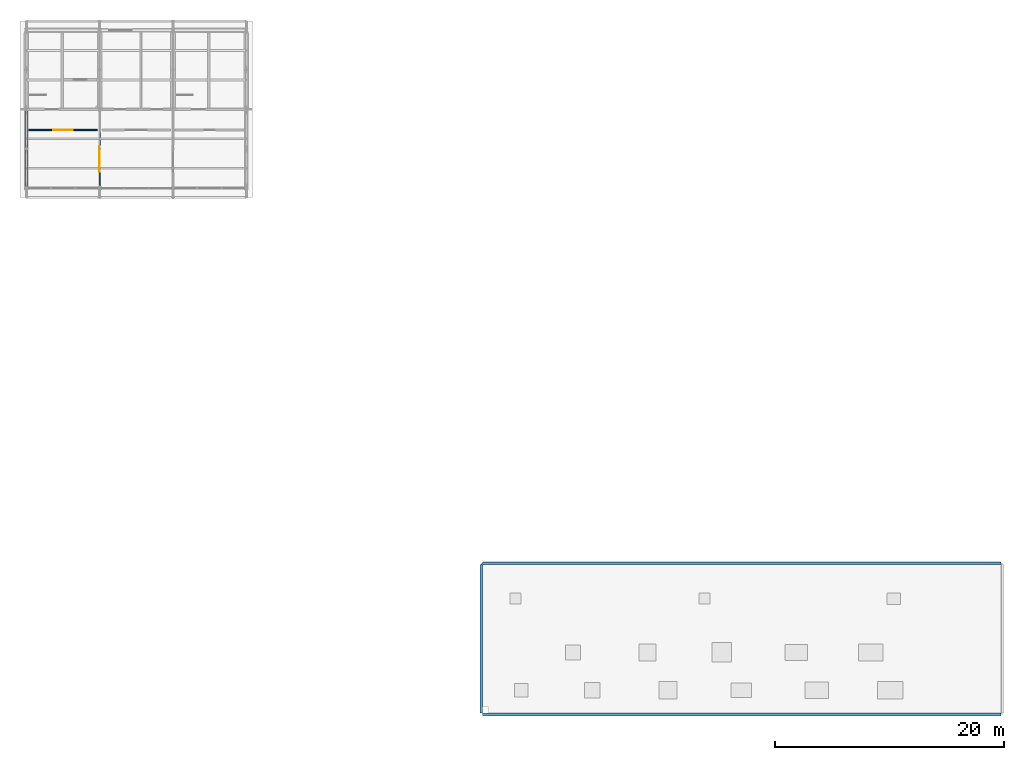
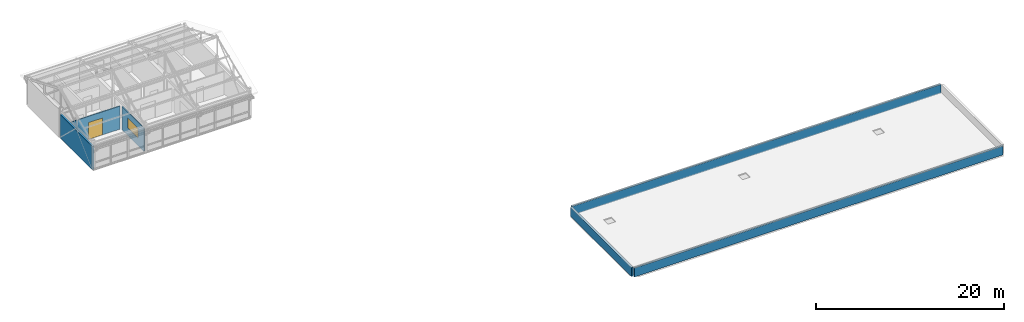
# One storey, part 8 of 11: 6 walls, 1 door, 1 window, 2 openings.
"""IFC4 building model written with IfcOpenShell, lengths in metres."""

from ifc_helpers import new_model, si_unit, direction, frame, frame_2d, origin, place, context, subcontext, project, spatial, rectangle, extrude, material, layer, layer_set, type_object, element, fill, save


model = new_model("IFC4")

# Units and contexts
model_context = context("Model", 3, precision=1e-05, world=origin(), true_north=direction((0.0, 1.0)))
body_context = subcontext(model_context, "Body", "Model", "MODEL_VIEW")
ifc_project = project(units=[si_unit("LENGTHUNIT", "METRE"), si_unit("AREAUNIT", "SQUARE_METRE"), si_unit("VOLUMEUNIT", "CUBIC_METRE"), si_unit("PLANEANGLEUNIT", "RADIAN"), si_unit("MASSUNIT", "GRAM", prefix="KILO")], contexts=[model_context])

# Site, building, storey
site_placement = place(None, origin())
site = spatial("IfcSite", under=ifc_project, at=site_placement, CompositionType="ELEMENT")
building_placement = place(site_placement, origin())
building = spatial("IfcBuilding", under=site, at=building_placement, Name="Trelmorton Wharf Fire Station", CompositionType="ELEMENT")
storey_placement = place(building_placement, frame((0.0, 0.0, 25.199951171875)))
storey = spatial("IfcBuildingStorey", under=building, at=storey_placement, Name="L06", CompositionType="ELEMENT", Elevation=25.199951171875)

# Walls
ifc_material_1 = material(Name="Precast concrete 45 MPa", Category="concrete")
ifc_layer_1 = layer(ifc_material_1, 0.2099609375)
ifc_layer_set_1 = layer_set([ifc_layer_1], Name="Precast concrete 45 MPa")
wall_type_1 = type_object("IfcWallType", Name="EW_PARA_210", PredefinedType="PARAPET", material=ifc_layer_set_1)
wall_1_placement = place(storey_placement, frame((155.8798828125, 14.39990234375, 0.0), z_axis=(0.0, 0.0, 1.0), x_axis=(-1.0, 0.0, 0.0)))
element("IfcWall", 1, at=wall_1_placement, inside=storey, type_object=wall_type_1, Name="WL-PARA-V5RF-04", PredefinedType="PARAPET", context=body_context, shape_type="SweptSolid", body=[
    extrude(rectangle(XDim=45.259765625, YDim=0.2099609375, at=frame_2d((22.6298828125, 0.0))), origin(), (0.0, 0.0, 1.0), 1.150146484375),
])
wall_2_placement = place(storey_placement, frame((110.5, 14.52001953125, 0.0), z_axis=(0.0, 0.0, 1.0), x_axis=(0.0, 1.0, 0.0)))
element("IfcWall", 2, at=wall_2_placement, inside=storey, type_object=wall_type_1, Name="WL-PARA-V5RF-05", PredefinedType="PARAPET", context=body_context, shape_type="SweptSolid", body=[
    extrude(rectangle(XDim=12.9599609375, YDim=0.2099609375, at=frame_2d((6.47998046875, 0.0))), origin(), (0.0, 0.0, 1.0), 1.150146484375),
])
wall_3_placement = place(storey_placement, frame((110.6201171875, 27.60009765625, 0.0), z_axis=(0.0, 0.0, 1.0), x_axis=(1.0, 0.0, 0.0)))
element("IfcWall", 3, at=wall_3_placement, inside=storey, type_object=wall_type_1, Name="WL-PARA-V5RF-06", PredefinedType="PARAPET", context=body_context, shape_type="SweptSolid", body=[
    extrude(rectangle(XDim=45.259765625, YDim=0.2099609375, at=frame_2d((22.6298828125, 0.0))), origin(), (0.0, 0.0, 1.0), 1.150146484375),
])
ifc_layer_2 = layer(ifc_material_1, 0.22998046875)
ifc_layer_set_2 = layer_set([ifc_layer_2], Name="Precast concrete 45 MPa")
wall_type_2 = type_object("IfcWallType", Name="EW_PREC_230", PredefinedType="SOLIDWALL", material=ifc_layer_set_2)
wall_4_placement = place(storey_placement, frame((70.800048828125, 60.304931640625, 0.0), z_axis=(0.0, 0.0, 1.0), x_axis=(0.0, 1.0, 0.0)))
element("IfcWall", 4, at=wall_4_placement, inside=storey, type_object=wall_type_2, Name="EW-V2-L06-0198", PredefinedType="SOLIDWALL", context=body_context, shape_type="SweptSolid", body=[
    extrude(rectangle(XDim=6.89013671875, YDim=0.22998046875, at=frame_2d((3.445068359375, 0.0))), origin(), (0.0, 0.0, 1.0), 3.02001953125),
])

# Wall, opening, door
ifc_material_2 = material(Name="Gypsum plasterboard partition")
ifc_layer_3 = layer(ifc_material_2, 0.110107421875)
ifc_layer_set_3 = layer_set([ifc_layer_3], Name="Gypsum plasterboard partition")
wall_type_3 = type_object("IfcWallType", Name="IW_PART_110", PredefinedType="PARTITIONING", material=ifc_layer_set_3)
wall_5_placement = place(storey_placement, frame((71.02001953125, 65.39990234375, 0.0), z_axis=(0.0, 0.0, 1.0), x_axis=(1.0, 0.0, 0.0)))
wall_5 = element("IfcWall", 5, at=wall_5_placement, inside=storey, type_object=wall_type_3, Name="IW-L06-0265", PredefinedType="PARTITIONING", context=body_context, shape_type="SweptSolid", body=[
    extrude(rectangle(XDim=5.9599609375, YDim=0.110107421875, at=frame_2d((2.97998046875, 0.0))), origin(), (0.0, 0.0, 1.0), 3.0),
])
opening_1_placement = place(wall_5_placement, frame((2.110107421875, 0.0, 0.0)))
opening_1 = element("IfcOpeningElement", 6, at=opening_1_placement, cuts=wall_5, Name="Opening D-179", PredefinedType="OPENING", context=body_context, shape_type="SweptSolid", body=[
    extrude(rectangle(XDim=1.739990234375, YDim=2.199951171875, at=frame_2d((0.8701171875, 1.10009765625))), frame((0.0, 0.06494140625, 0.0), z_axis=(0.0, -1.0, 0.0), x_axis=(1.0, 0.0, 0.0)), (0.0, 0.0, 1.0), 0.130126953125),
])
ifc_material_3 = material(Name="Acoustic timber panelling", Category="wood")
door_type = type_object("IfcDoorType", Name="DR_INT_174", OperationType="DOUBLE_DOOR_SINGLE_SWING", PredefinedType="DOOR", material=ifc_material_3)
door_placement = place(opening_1_placement, origin())
door = element("IfcDoor", 7, at=door_placement, inside=storey, type_object=door_type, Name="Interior Door D-179", OperationType="DOUBLE_DOOR_SINGLE_SWING", OverallHeight=2.199951171875, OverallWidth=1.739990234375, PredefinedType="DOOR", context=body_context, shape_type="SweptSolid", body=[
    extrude(rectangle(XDim=1.739990234375, YDim=2.199951171875, at=frame_2d((0.8701171875, 1.10009765625))), frame((0.0, 0.02490234375, 0.0), z_axis=(0.0, -1.0, 0.0), x_axis=(1.0, 0.0, 0.0)), (0.0, 0.0, 1.0), 0.050048828125),
])
fill(opening_1, door)

# Wall, opening, window
ifc_layer_4 = layer(ifc_material_2, 0.1201171875)
ifc_layer_set_4 = layer_set([ifc_layer_4], Name="Gypsum plasterboard partition")
wall_type_4 = type_object("IfcWallType", Name="IW_WET_120", PredefinedType="PARTITIONING", material=ifc_layer_set_4)
wall_6_placement = place(storey_placement, frame((77.199951171875, 60.52001953125, 0.0), z_axis=(0.0, 0.0, 1.0), x_axis=(0.0, 1.0, 0.0)))
wall_6 = element("IfcWall", 8, at=wall_6_placement, inside=storey, type_object=wall_type_4, Name="IW-L06-0264", PredefinedType="PARTITIONING", context=body_context, shape_type="SweptSolid", body=[
    extrude(rectangle(XDim=4.659912109375, YDim=0.1201171875, at=frame_2d((2.330078125, 0.0))), origin(), (0.0, 0.0, 1.0), 3.0),
])
opening_2_placement = place(wall_6_placement, frame((1.22998046875, 0.0, 0.949951171875)))
opening_2 = element("IfcOpeningElement", 9, at=opening_2_placement, cuts=wall_6, Name="Opening IW-OB1", PredefinedType="OPENING", context=body_context, shape_type="SweptSolid", body=[
    extrude(rectangle(XDim=2.199951171875, YDim=1.300048828125, at=frame_2d((1.10009765625, 0.64990234375))), frame((0.0, 0.070068359375, 0.0), z_axis=(0.0, -1.0, 0.0), x_axis=(1.0, 0.0, 0.0)), (0.0, 0.0, 1.0), 0.14013671875),
])
ifc_material_4 = material(Name="Tempered low-E double glazing", Category="glass")
window_type = type_object("IfcWindowType", Name="WIN_INT_220", PartitioningType="DOUBLE_PANEL_VERTICAL", PredefinedType="WINDOW", material=ifc_material_4)
window_placement = place(opening_2_placement, origin())
window = element("IfcWindow", 10, at=window_placement, inside=storey, type_object=window_type, Name="WN-INT-0264", OverallHeight=1.300048828125, OverallWidth=2.199951171875, PartitioningType="DOUBLE_PANEL_VERTICAL", PredefinedType="WINDOW", context=body_context, shape_type="SweptSolid", body=[
    extrude(rectangle(XDim=2.199951171875, YDim=1.300048828125, at=frame_2d((1.10009765625, 0.64990234375))), frame((0.0, 0.030029296875, 0.0), z_axis=(0.0, -1.0, 0.0), x_axis=(1.0, 0.0, 0.0)), (0.0, 0.0, 1.0), 0.06005859375),
])
fill(opening_2, window)

save(model, "model.ifc")
